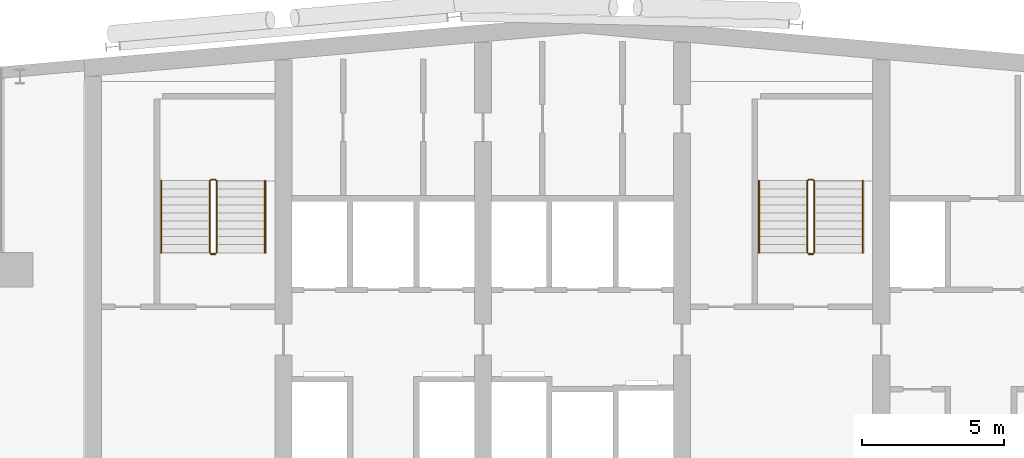
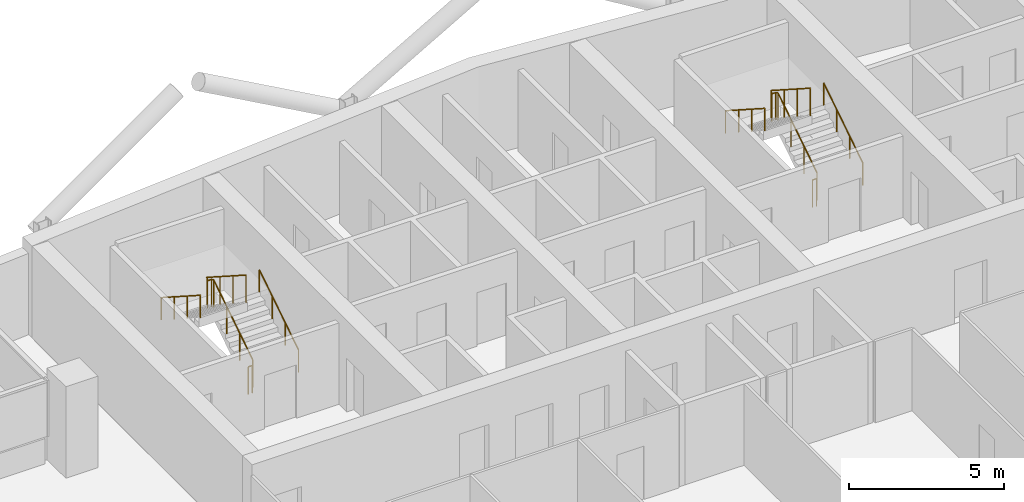
# One storey, part 26 of 26: 8 railings.
"""IFC4 building model written with IfcOpenShell, lengths in metres."""

from ifc_helpers import new_model, si_unit, direction, frame, origin, origin_2d, place, context, subcontext, project, spatial, circle, extrude, material, type_object, element, save


model = new_model("IFC4")

# Units and contexts
model_context = context("Model", 3, precision=1e-05, world=origin(), true_north=direction((0.0, 1.0)))
body_context = subcontext(model_context, "Body", "Model", "MODEL_VIEW")
ifc_project = project(units=[si_unit("LENGTHUNIT", "METRE"), si_unit("AREAUNIT", "SQUARE_METRE"), si_unit("VOLUMEUNIT", "CUBIC_METRE"), si_unit("PLANEANGLEUNIT", "RADIAN"), si_unit("MASSUNIT", "GRAM", prefix="KILO")], contexts=[model_context])

# Site, building, storey
site_placement = place(None, origin())
site = spatial("IfcSite", under=ifc_project, at=site_placement, CompositionType="ELEMENT")
building_placement = place(site_placement, origin())
building = spatial("IfcBuilding", under=site, at=building_placement, Name="Wharfspan Tower", CompositionType="ELEMENT")
storey_placement = place(building_placement, frame((0.0, 0.0, 217.899902)))
storey = spatial("IfcBuildingStorey", under=building, at=storey_placement, Name="L54", CompositionType="ELEMENT", Elevation=217.899902)

# Railings
ifc_material = material(Name="Steel S355J2", Category="steel")
railing_type_1 = type_object("IfcRailingType", Name="Stair guard 1100", PredefinedType="GUARDRAIL", material=ifc_material)
railing_1_placement = place(storey_placement, frame((27.649902, 42.0, 0.180176)))
element("IfcRailing", 1, at=railing_1_placement, inside=storey, type_object=railing_type_1, Name="L54 ST1 stair guard 1", PredefinedType="GUARDRAIL", context=body_context, shape_type="SweptSolid", body=[
    extrude(circle(Radius=0.023926, at=origin_2d()), frame((0.0, 0.0, 1.076172), z_axis=(0.0, 0.8412, 0.540725), x_axis=(-1.0, 0.0, 0.0)), (0.0, 0.0, 1.0), 2.99585),
    extrude(circle(Radius=0.023926, at=origin_2d()), frame((0.0, 2.52002, 2.695801), z_axis=(-0.705376, 0.708834, 0.0), x_axis=(-0.708834, -0.705376, 0.0)), (0.0, 0.0, 1.0), 0.070557),
    extrude(circle(Radius=0.023926, at=origin_2d()), frame((-0.049805, 2.570068, 2.695801), z_axis=(-1.0, 0.0, 0.0), x_axis=(0.0, -1.0, 0.0)), (0.0, 0.0, 1.0), 0.150146),
    extrude(circle(Radius=0.023926, at=origin_2d()), frame((-0.199951, 2.570068, 2.695801), z_axis=(-0.258848, -0.258848, 0.930589), x_axis=(0.707107, -0.707107, 0.0)), (0.0, 0.0, 1.0), 0.193359),
    extrude(circle(Radius=0.023926, at=origin_2d()), frame((-0.25, 2.52002, 2.875977), z_axis=(0.0, -0.841163, 0.540782), x_axis=(1.0, 0.0, 0.0)), (0.0, 0.0, 1.0), 2.99585),
    extrude(circle(Radius=0.020996, at=origin_2d()), origin(), (0.0, 0.0, 1.0), 1.052002),
    extrude(circle(Radius=0.020996, at=origin_2d()), frame((0.0, 0.840088, 0.540039)), (0.0, 0.0, 1.0), 1.052002),
    extrude(circle(Radius=0.020996, at=origin_2d()), frame((0.0, 1.679932, 1.079834)), (0.0, 0.0, 1.0), 1.052002),
    extrude(circle(Radius=0.020996, at=origin_2d()), frame((0.0, 2.52002, 1.619873)), (0.0, 0.0, 1.0), 1.052002),
    extrude(circle(Radius=0.020996, at=origin_2d()), frame((-0.049805, 2.570068, 1.619873)), (0.0, 0.0, 1.0), 1.052002),
    extrude(circle(Radius=0.020996, at=origin_2d()), frame((-0.199951, 2.570068, 1.619873)), (0.0, 0.0, 1.0), 1.052002),
    extrude(circle(Radius=0.020996, at=origin_2d()), frame((-0.25, 2.52002, 1.799805)), (0.0, 0.0, 1.0), 1.052002),
    extrude(circle(Radius=0.020996, at=origin_2d()), frame((-0.25, 1.679932, 2.339844)), (0.0, 0.0, 1.0), 1.052002),
    extrude(circle(Radius=0.020996, at=origin_2d()), frame((-0.25, 0.840088, 2.879883)), (0.0, 0.0, 1.0), 1.052002),
    extrude(circle(Radius=0.020996, at=origin_2d()), frame((-0.25, 0.0, 3.419922)), (0.0, 0.0, 1.0), 1.052002),
])
railing_2_placement = place(storey_placement, frame((27.600098, 41.949951, 0.0)))
element("IfcRailing", 2, at=railing_2_placement, inside=storey, type_object=railing_type_1, Name="L54 ST1 stair guard 2", PredefinedType="GUARDRAIL", context=body_context, shape_type="SweptSolid", body=[
    extrude(circle(Radius=0.023926, at=origin_2d()), frame((0.0, 0.0, 1.076172), z_axis=(-1.0, 0.0, 0.0), x_axis=(0.0, -1.0, 0.0)), (0.0, 0.0, 1.0), 0.150146),
    extrude(circle(Radius=0.020996, at=origin_2d()), origin(), (0.0, 0.0, 1.0), 1.052002),
    extrude(circle(Radius=0.020996, at=origin_2d()), frame((-0.150146, 0.0, 0.0)), (0.0, 0.0, 1.0), 1.052002),
])
railing_3_placement = place(storey_placement, frame((48.649902, 42.0, 0.180176)))
element("IfcRailing", 3, at=railing_3_placement, inside=storey, type_object=railing_type_1, Name="L54 ST2 stair guard 1", PredefinedType="GUARDRAIL", context=body_context, shape_type="SweptSolid", body=[
    extrude(circle(Radius=0.023926, at=origin_2d()), frame((0.0, 0.0, 1.076172), z_axis=(0.0, 0.8412, 0.540725), x_axis=(-1.0, 0.0, 0.0)), (0.0, 0.0, 1.0), 2.99585),
    extrude(circle(Radius=0.023926, at=origin_2d()), frame((0.0, 2.52002, 2.695801), z_axis=(-0.705376, 0.708834, 0.0), x_axis=(-0.708834, -0.705376, 0.0)), (0.0, 0.0, 1.0), 0.070557),
    extrude(circle(Radius=0.023926, at=origin_2d()), frame((-0.049805, 2.570068, 2.695801), z_axis=(-1.0, 0.0, 0.0), x_axis=(0.0, -1.0, 0.0)), (0.0, 0.0, 1.0), 0.150146),
    extrude(circle(Radius=0.023926, at=origin_2d()), frame((-0.199951, 2.570068, 2.695801), z_axis=(-0.258848, -0.258848, 0.930589), x_axis=(0.707107, -0.707107, 0.0)), (0.0, 0.0, 1.0), 0.193359),
    extrude(circle(Radius=0.023926, at=origin_2d()), frame((-0.25, 2.52002, 2.875977), z_axis=(0.0, -0.841163, 0.540782), x_axis=(1.0, 0.0, 0.0)), (0.0, 0.0, 1.0), 2.99585),
    extrude(circle(Radius=0.020996, at=origin_2d()), origin(), (0.0, 0.0, 1.0), 1.052002),
    extrude(circle(Radius=0.020996, at=origin_2d()), frame((0.0, 0.840088, 0.540039)), (0.0, 0.0, 1.0), 1.052002),
    extrude(circle(Radius=0.020996, at=origin_2d()), frame((0.0, 1.679932, 1.079834)), (0.0, 0.0, 1.0), 1.052002),
    extrude(circle(Radius=0.020996, at=origin_2d()), frame((0.0, 2.52002, 1.619873)), (0.0, 0.0, 1.0), 1.052002),
    extrude(circle(Radius=0.020996, at=origin_2d()), frame((-0.049805, 2.570068, 1.619873)), (0.0, 0.0, 1.0), 1.052002),
    extrude(circle(Radius=0.020996, at=origin_2d()), frame((-0.199951, 2.570068, 1.619873)), (0.0, 0.0, 1.0), 1.052002),
    extrude(circle(Radius=0.020996, at=origin_2d()), frame((-0.25, 2.52002, 1.799805)), (0.0, 0.0, 1.0), 1.052002),
    extrude(circle(Radius=0.020996, at=origin_2d()), frame((-0.25, 1.679932, 2.339844)), (0.0, 0.0, 1.0), 1.052002),
    extrude(circle(Radius=0.020996, at=origin_2d()), frame((-0.25, 0.840088, 2.879883)), (0.0, 0.0, 1.0), 1.052002),
    extrude(circle(Radius=0.020996, at=origin_2d()), frame((-0.25, 0.0, 3.419922)), (0.0, 0.0, 1.0), 1.052002),
])
railing_4_placement = place(storey_placement, frame((48.600098, 41.949951, 0.0)))
element("IfcRailing", 4, at=railing_4_placement, inside=storey, type_object=railing_type_1, Name="L54 ST2 stair guard 2", PredefinedType="GUARDRAIL", context=body_context, shape_type="SweptSolid", body=[
    extrude(circle(Radius=0.023926, at=origin_2d()), frame((0.0, 0.0, 1.076172), z_axis=(-1.0, 0.0, 0.0), x_axis=(0.0, -1.0, 0.0)), (0.0, 0.0, 1.0), 0.150146),
    extrude(circle(Radius=0.020996, at=origin_2d()), origin(), (0.0, 0.0, 1.0), 1.052002),
    extrude(circle(Radius=0.020996, at=origin_2d()), frame((-0.150146, 0.0, 0.0)), (0.0, 0.0, 1.0), 1.052002),
])
railing_type_2 = type_object("IfcRailingType", Name="Stair handrail 900", PredefinedType="HANDRAIL", material=ifc_material)
railing_5_placement = place(storey_placement, frame((29.350098, 42.0, 0.180176)))
element("IfcRailing", 5, at=railing_5_placement, inside=storey, type_object=railing_type_2, Name="L54 ST1 stair handrail 1", PredefinedType="HANDRAIL", context=body_context, shape_type="SweptSolid", body=[
    extrude(circle(Radius=0.023926, at=origin_2d()), frame((0.0, 0.0, 0.875977), z_axis=(0.0, 0.8412, 0.540725), x_axis=(-1.0, 0.0, 0.0)), (0.0, 0.0, 1.0), 2.99585),
    extrude(circle(Radius=0.020996, at=origin_2d()), origin(), (0.0, 0.0, 1.0), 0.851807),
    extrude(circle(Radius=0.020996, at=origin_2d()), frame((0.0, 0.840088, 0.540039)), (0.0, 0.0, 1.0), 0.851807),
    extrude(circle(Radius=0.020996, at=origin_2d()), frame((0.0, 1.679932, 1.079834)), (0.0, 0.0, 1.0), 0.851807),
    extrude(circle(Radius=0.020996, at=origin_2d()), frame((0.0, 2.52002, 1.619873)), (0.0, 0.0, 1.0), 0.851807),
])
railing_6_placement = place(storey_placement, frame((25.699951, 44.52002, 1.97998)))
element("IfcRailing", 6, at=railing_6_placement, inside=storey, type_object=railing_type_2, Name="L54 ST1 stair handrail 2", PredefinedType="HANDRAIL", context=body_context, shape_type="SweptSolid", body=[
    extrude(circle(Radius=0.023926, at=origin_2d()), frame((0.0, 0.0, 0.875977), z_axis=(0.0, -0.841163, 0.540782), x_axis=(1.0, 0.0, 0.0)), (0.0, 0.0, 1.0), 2.99585),
    extrude(circle(Radius=0.020996, at=origin_2d()), origin(), (0.0, 0.0, 1.0), 0.851807),
    extrude(circle(Radius=0.020996, at=origin_2d()), frame((0.0, -0.840088, 0.540039)), (0.0, 0.0, 1.0), 0.851807),
    extrude(circle(Radius=0.020996, at=origin_2d()), frame((0.0, -1.679932, 1.080078)), (0.0, 0.0, 1.0), 0.851807),
    extrude(circle(Radius=0.020996, at=origin_2d()), frame((0.0, -2.52002, 1.620117)), (0.0, 0.0, 1.0), 0.851807),
])
railing_7_placement = place(storey_placement, frame((50.350098, 42.0, 0.180176)))
element("IfcRailing", 7, at=railing_7_placement, inside=storey, type_object=railing_type_2, Name="L54 ST2 stair handrail 1", PredefinedType="HANDRAIL", context=body_context, shape_type="SweptSolid", body=[
    extrude(circle(Radius=0.023926, at=origin_2d()), frame((0.0, 0.0, 0.875977), z_axis=(0.0, 0.8412, 0.540725), x_axis=(-1.0, 0.0, 0.0)), (0.0, 0.0, 1.0), 2.99585),
    extrude(circle(Radius=0.020996, at=origin_2d()), origin(), (0.0, 0.0, 1.0), 0.851807),
    extrude(circle(Radius=0.020996, at=origin_2d()), frame((0.0, 0.840088, 0.540039)), (0.0, 0.0, 1.0), 0.851807),
    extrude(circle(Radius=0.020996, at=origin_2d()), frame((0.0, 1.679932, 1.079834)), (0.0, 0.0, 1.0), 0.851807),
    extrude(circle(Radius=0.020996, at=origin_2d()), frame((0.0, 2.52002, 1.619873)), (0.0, 0.0, 1.0), 0.851807),
])
railing_8_placement = place(storey_placement, frame((46.699951, 44.52002, 1.97998)))
element("IfcRailing", 8, at=railing_8_placement, inside=storey, type_object=railing_type_2, Name="L54 ST2 stair handrail 2", PredefinedType="HANDRAIL", context=body_context, shape_type="SweptSolid", body=[
    extrude(circle(Radius=0.023926, at=origin_2d()), frame((0.0, 0.0, 0.875977), z_axis=(0.0, -0.841163, 0.540782), x_axis=(1.0, 0.0, 0.0)), (0.0, 0.0, 1.0), 2.99585),
    extrude(circle(Radius=0.020996, at=origin_2d()), origin(), (0.0, 0.0, 1.0), 0.851807),
    extrude(circle(Radius=0.020996, at=origin_2d()), frame((0.0, -0.840088, 0.540039)), (0.0, 0.0, 1.0), 0.851807),
    extrude(circle(Radius=0.020996, at=origin_2d()), frame((0.0, -1.679932, 1.080078)), (0.0, 0.0, 1.0), 0.851807),
    extrude(circle(Radius=0.020996, at=origin_2d()), frame((0.0, -2.52002, 1.620117)), (0.0, 0.0, 1.0), 0.851807),
])

save(model, "model.ifc")
